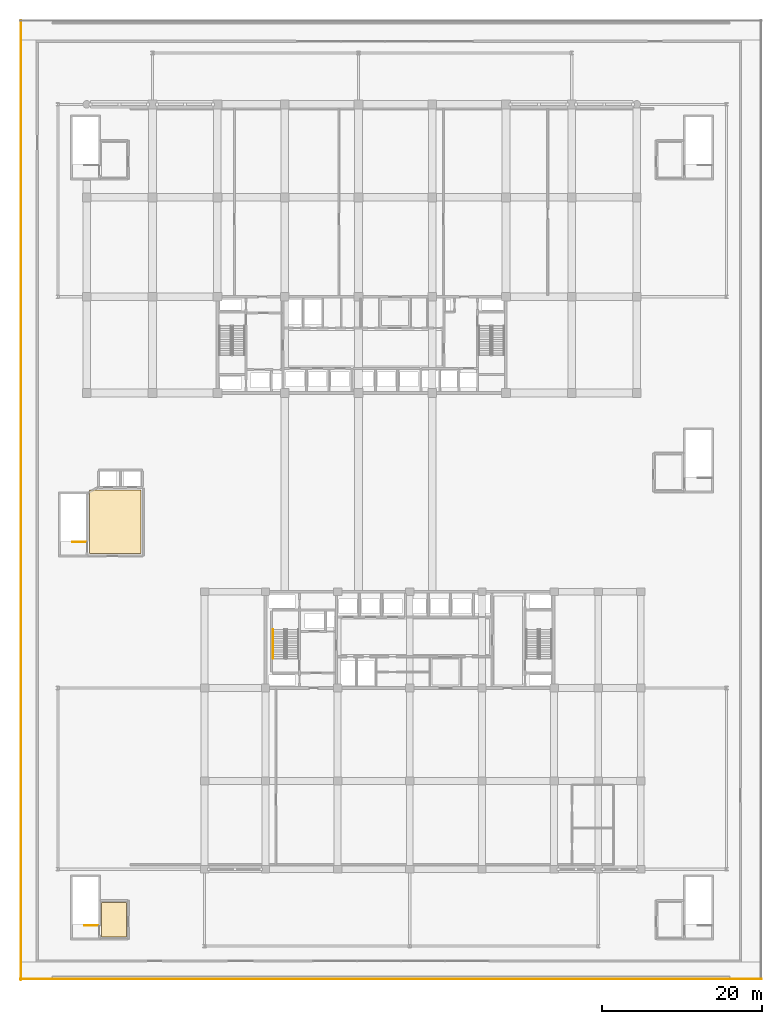
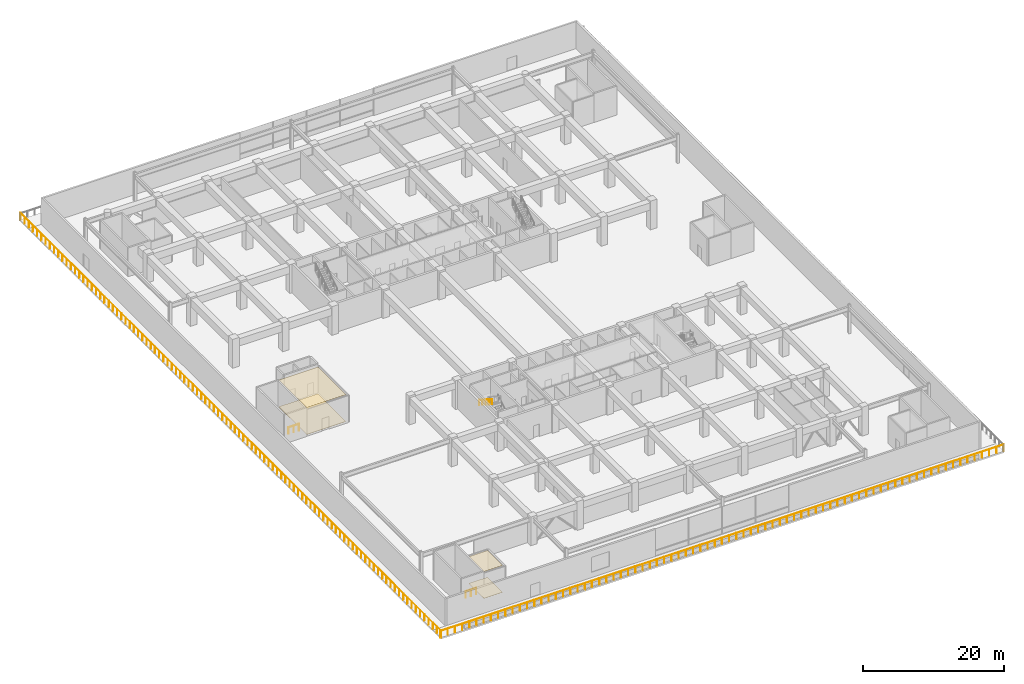
# One storey, part 32 of 38: 5 railings, 4 coverings.
"""IFC4 building model written with IfcOpenShell, lengths in metres."""

from ifc_helpers import new_model, si_unit, direction, frame, origin, origin_2d, place, context, subcontext, project, spatial, polyline, circle, outline, extrude, material, layer, layer_set, type_object, element, save


model = new_model("IFC4")

# Units and contexts
model_context = context("Model", 3, precision=1e-05, world=origin(), true_north=direction((0.0, 1.0)))
body_context = subcontext(model_context, "Body", "Model", "MODEL_VIEW")
ifc_project = project(units=[si_unit("LENGTHUNIT", "METRE"), si_unit("AREAUNIT", "SQUARE_METRE"), si_unit("VOLUMEUNIT", "CUBIC_METRE"), si_unit("PLANEANGLEUNIT", "RADIAN"), si_unit("MASSUNIT", "GRAM", prefix="KILO")], contexts=[model_context])

# Site, building, storey
site_placement = place(None, origin())
site = spatial("IfcSite", under=ifc_project, at=site_placement, CompositionType="ELEMENT")
building_placement = place(site_placement, origin())
building = spatial("IfcBuilding", under=site, at=building_placement, Name="Korimba Cascade Residences", CompositionType="ELEMENT")
storey_placement = place(building_placement, frame((0.0, 0.0, 19.0)))
storey = spatial("IfcBuildingStorey", under=building, at=storey_placement, Name="L04", CompositionType="ELEMENT", Elevation=19.0)

# Coverings
ifc_material_1 = material(Name="Perforated Acoustic Gypsum Ceiling", Category="gypsum")
ifc_layer_1 = layer(ifc_material_1, 0.02490234375)
ifc_layer_set_1 = layer_set([ifc_layer_1], Name="Perforated Acoustic Gypsum Ceiling")
covering_type_1 = type_object("IfcCoveringType", Name="COV-CLG-AC", PredefinedType="CEILING", material=ifc_layer_set_1)
covering_1_placement = place(storey_placement, frame((0.0, 0.0, 4.655029296875)))
element("IfcCovering", 1, at=covering_1_placement, inside=storey, type_object=covering_type_1, Name="L04 Suspended Acoustic Ceiling L04-PLW", PredefinedType="CEILING", context=body_context, shape_type="SweptSolid", body=[
    extrude(outline(polyline([(60.169921875, 35.14990234375), (66.60009765625, 35.14990234375), (66.60009765625, 43.10009765625), (60.169921875, 43.10009765625), (60.169921875, 35.14990234375)])), origin(), (0.0, 0.0, 1.0), 0.02490234375),
])
covering_2_placement = place(storey_placement, frame((0.0, 0.0, 4.655029296875)))
element("IfcCovering", 2, at=covering_2_placement, inside=storey, type_object=covering_type_1, Name="L04 Suspended Acoustic Ceiling L04-PL3", PredefinedType="CEILING", context=body_context, shape_type="SweptSolid", body=[
    extrude(outline(polyline([(61.669921875, -12.64990234375), (64.75, -12.64990234375), (64.75, -8.35009765625), (61.669921875, -8.35009765625), (61.669921875, -12.64990234375)])), origin(), (0.0, 0.0, 1.0), 0.02490234375),
])
ifc_material_2 = material(Name="Honed Travertine Stone Flooring", Category="masonry")
ifc_layer_2 = layer(ifc_material_2, 0.02490234375)
ifc_layer_set_2 = layer_set([ifc_layer_2], Name="Honed Travertine Stone Flooring")
covering_type_2 = type_object("IfcCoveringType", Name="COV-FLR-STN", PredefinedType="FLOORING", material=ifc_layer_set_2)
covering_3_placement = place(storey_placement, origin())
element("IfcCovering", 3, at=covering_3_placement, inside=storey, type_object=covering_type_2, Name="L04 Honed Travertine Stone Flooring L04-PLW", PredefinedType="FLOORING", context=body_context, shape_type="SweptSolid", body=[
    extrude(outline(polyline([(60.169921875, 35.14990234375), (66.60009765625, 35.14990234375), (66.60009765625, 43.10009765625), (60.169921875, 43.10009765625), (60.169921875, 35.14990234375)])), origin(), (0.0, 0.0, 1.0), 0.02490234375),
])
covering_4_placement = place(storey_placement, origin())
element("IfcCovering", 4, at=covering_4_placement, inside=storey, type_object=covering_type_2, Name="L04 Honed Travertine Stone Flooring L04-PL3", PredefinedType="FLOORING", context=body_context, shape_type="SweptSolid", body=[
    extrude(outline(polyline([(61.669921875, -12.64990234375), (64.75, -12.64990234375), (64.75, -8.35009765625), (61.669921875, -8.35009765625), (61.669921875, -12.64990234375)])), origin(), (0.0, 0.0, 1.0), 0.02490234375),
])

# Railings
ifc_material_3 = material(Name="Painted Steel Stairwell Guardrail", Category="steel")
railing_type_1 = type_object("IfcRailingType", Name="RLG-ST-GD1150", PredefinedType="GUARDRAIL", material=ifc_material_3)
for number, where, name in (
    (5, (59.739990234375, 36.60009765625, 0.0), "L04 ST-P1 top well guard 1"),
    (6, (61.239990234375, -11.199951171875, 0.0), "L04 ST-P3 top well guard 1"),
):
    element("IfcRailing", number, at=place(storey_placement, frame(where)), inside=storey, type_object=railing_type_1, Name=name, PredefinedType="GUARDRAIL", context=body_context, shape_type="SweptSolid", body=[
        extrude(circle(Radius=0.02392578125, at=origin_2d()), frame((0.0, 0.0, 1.1259765625), z_axis=(-1.0, 0.0, 0.0), x_axis=(0.0, -1.0, 0.0)), (0.0, 0.0, 1.0), 1.719970703125),
        extrude(circle(Radius=0.02099609375, at=origin_2d()), origin(), (0.0, 0.0, 1.0), 1.101806640625),
        extrude(circle(Radius=0.02099609375, at=origin_2d()), frame((-0.85986328125, 0.0, 0.0)), (0.0, 0.0, 1.0), 1.101806640625),
        extrude(circle(Radius=0.02099609375, at=origin_2d()), frame((-1.719970703125, 0.0, 0.0)), (0.0, 0.0, 1.0), 1.101806640625),
    ])
ifc_material_4 = material(Name="Brushed Stainless Steel Handrail", Category="steel")
railing_type_2 = type_object("IfcRailingType", Name="RLG-ST-HR900", PredefinedType="HANDRAIL", material=ifc_material_4)
railing_1_placement = place(storey_placement, frame((83.050048828125, 25.68994140625, 2.86083984375)))
element("IfcRailing", 7, at=railing_1_placement, inside=storey, type_object=railing_type_2, Name="L04 ST-E1 stair handrail 2", PredefinedType="HANDRAIL", context=body_context, shape_type="SweptSolid", body=[
    extrude(circle(Radius=0.02392578125, at=origin_2d()), frame((0.0, 0.0, 0.8759765625), z_axis=(0.0, -0.843111507901, 0.53773877045), x_axis=(1.0, 0.0, 0.0)), (0.0, 0.0, 1.0), 4.317138671875),
    extrude(circle(Radius=0.02099609375, at=origin_2d()), origin(), (0.0, 0.0, 1.0), 0.851806640625),
    extrude(circle(Radius=0.02099609375, at=origin_2d()), frame((0.0, -0.909912109375, 0.580322265625)), (0.0, 0.0, 1.0), 0.851806640625),
    extrude(circle(Radius=0.02099609375, at=origin_2d()), frame((0.0, -1.81982421875, 1.16064453125)), (0.0, 0.0, 1.0), 0.851806640625),
    extrude(circle(Radius=0.02099609375, at=origin_2d()), frame((0.0, -2.72998046875, 1.7412109375)), (0.0, 0.0, 1.0), 0.851806640625),
    extrude(circle(Radius=0.02099609375, at=origin_2d()), frame((0.0, -3.639892578125, 2.321533203125)), (0.0, 0.0, 1.0), 0.851806640625),
])
ifc_material_5 = material(Name="Painted Galvanised Steel Terrace Guardrail", Category="steel")
railing_type_3 = type_object("IfcRailingType", Name="RLG-TER-1150", PredefinedType="GUARDRAIL", material=ifc_material_5)
railing_2_placement = place(storey_placement, frame((51.5, -17.919921875, 0.0)))
element("IfcRailing", 8, at=railing_2_placement, inside=storey, type_object=railing_type_3, Name="L04 Perimeter Guardrail RLG-L04-TER-01", PredefinedType="GUARDRAIL", context=body_context, shape_type="SweptSolid", body=[
    extrude(circle(Radius=0.02392578125, at=origin_2d()), frame((0.0, 0.0, 1.1259765625), z_axis=(1.0, 0.0, 0.0), x_axis=(0.0, 1.0, 0.0)), (0.0, 0.0, 1.0), 92.5),
    extrude(circle(Radius=0.02099609375, at=origin_2d()), origin(), (0.0, 0.0, 1.0), 1.101806640625),
    extrude(circle(Radius=0.02099609375, at=origin_2d()), frame((1.185791015625, 0.0, 0.0)), (0.0, 0.0, 1.0), 1.101806640625),
    extrude(circle(Radius=0.02099609375, at=origin_2d()), frame((2.371826171875, 0.0, 0.0)), (0.0, 0.0, 1.0), 1.101806640625),
    extrude(circle(Radius=0.02099609375, at=origin_2d()), frame((3.5576171875, 0.0, 0.0)), (0.0, 0.0, 1.0), 1.101806640625),
    extrude(circle(Radius=0.02099609375, at=origin_2d()), frame((4.74365234375, 0.0, 0.0)), (0.0, 0.0, 1.0), 1.101806640625),
    extrude(circle(Radius=0.02099609375, at=origin_2d()), frame((5.929443359375, 0.0, 0.0)), (0.0, 0.0, 1.0), 1.101806640625),
    extrude(circle(Radius=0.02099609375, at=origin_2d()), frame((7.115478515625, 0.0, 0.0)), (0.0, 0.0, 1.0), 1.101806640625),
    extrude(circle(Radius=0.02099609375, at=origin_2d()), frame((8.30126953125, 0.0, 0.0)), (0.0, 0.0, 1.0), 1.101806640625),
    extrude(circle(Radius=0.02099609375, at=origin_2d()), frame((9.487060546875, 0.0, 0.0)), (0.0, 0.0, 1.0), 1.101806640625),
    extrude(circle(Radius=0.02099609375, at=origin_2d()), frame((10.673095703125, 0.0, 0.0)), (0.0, 0.0, 1.0), 1.101806640625),
    extrude(circle(Radius=0.02099609375, at=origin_2d()), frame((11.85888671875, 0.0, 0.0)), (0.0, 0.0, 1.0), 1.101806640625),
    extrude(circle(Radius=0.02099609375, at=origin_2d()), frame((13.044921875, 0.0, 0.0)), (0.0, 0.0, 1.0), 1.101806640625),
    extrude(circle(Radius=0.02099609375, at=origin_2d()), frame((14.230712890625, 0.0, 0.0)), (0.0, 0.0, 1.0), 1.101806640625),
    extrude(circle(Radius=0.02099609375, at=origin_2d()), frame((15.416748046875, 0.0, 0.0)), (0.0, 0.0, 1.0), 1.101806640625),
    extrude(circle(Radius=0.02099609375, at=origin_2d()), frame((16.6025390625, 0.0, 0.0)), (0.0, 0.0, 1.0), 1.101806640625),
    extrude(circle(Radius=0.02099609375, at=origin_2d()), frame((17.78857421875, 0.0, 0.0)), (0.0, 0.0, 1.0), 1.101806640625),
    extrude(circle(Radius=0.02099609375, at=origin_2d()), frame((18.974365234375, 0.0, 0.0)), (0.0, 0.0, 1.0), 1.101806640625),
    extrude(circle(Radius=0.02099609375, at=origin_2d()), frame((20.16015625, 0.0, 0.0)), (0.0, 0.0, 1.0), 1.101806640625),
    extrude(circle(Radius=0.02099609375, at=origin_2d()), frame((21.34619140625, 0.0, 0.0)), (0.0, 0.0, 1.0), 1.101806640625),
    extrude(circle(Radius=0.02099609375, at=origin_2d()), frame((22.531982421875, 0.0, 0.0)), (0.0, 0.0, 1.0), 1.101806640625),
    extrude(circle(Radius=0.02099609375, at=origin_2d()), frame((23.718017578125, 0.0, 0.0)), (0.0, 0.0, 1.0), 1.101806640625),
    extrude(circle(Radius=0.02099609375, at=origin_2d()), frame((24.90380859375, 0.0, 0.0)), (0.0, 0.0, 1.0), 1.101806640625),
    extrude(circle(Radius=0.02099609375, at=origin_2d()), frame((26.08984375, 0.0, 0.0)), (0.0, 0.0, 1.0), 1.101806640625),
    extrude(circle(Radius=0.02099609375, at=origin_2d()), frame((27.275634765625, 0.0, 0.0)), (0.0, 0.0, 1.0), 1.101806640625),
    extrude(circle(Radius=0.02099609375, at=origin_2d()), frame((28.46142578125, 0.0, 0.0)), (0.0, 0.0, 1.0), 1.101806640625),
    extrude(circle(Radius=0.02099609375, at=origin_2d()), frame((29.6474609375, 0.0, 0.0)), (0.0, 0.0, 1.0), 1.101806640625),
    extrude(circle(Radius=0.02099609375, at=origin_2d()), frame((30.833251953125, 0.0, 0.0)), (0.0, 0.0, 1.0), 1.101806640625),
    extrude(circle(Radius=0.02099609375, at=origin_2d()), frame((32.019287109375, 0.0, 0.0)), (0.0, 0.0, 1.0), 1.101806640625),
    extrude(circle(Radius=0.02099609375, at=origin_2d()), frame((33.205078125, 0.0, 0.0)), (0.0, 0.0, 1.0), 1.101806640625),
    extrude(circle(Radius=0.02099609375, at=origin_2d()), frame((34.39111328125, 0.0, 0.0)), (0.0, 0.0, 1.0), 1.101806640625),
    extrude(circle(Radius=0.02099609375, at=origin_2d()), frame((35.576904296875, 0.0, 0.0)), (0.0, 0.0, 1.0), 1.101806640625),
    extrude(circle(Radius=0.02099609375, at=origin_2d()), frame((36.762939453125, 0.0, 0.0)), (0.0, 0.0, 1.0), 1.101806640625),
    extrude(circle(Radius=0.02099609375, at=origin_2d()), frame((37.94873046875, 0.0, 0.0)), (0.0, 0.0, 1.0), 1.101806640625),
    extrude(circle(Radius=0.02099609375, at=origin_2d()), frame((39.134521484375, 0.0, 0.0)), (0.0, 0.0, 1.0), 1.101806640625),
    extrude(circle(Radius=0.02099609375, at=origin_2d()), frame((40.320556640625, 0.0, 0.0)), (0.0, 0.0, 1.0), 1.101806640625),
    extrude(circle(Radius=0.02099609375, at=origin_2d()), frame((41.50634765625, 0.0, 0.0)), (0.0, 0.0, 1.0), 1.101806640625),
    extrude(circle(Radius=0.02099609375, at=origin_2d()), frame((42.6923828125, 0.0, 0.0)), (0.0, 0.0, 1.0), 1.101806640625),
    extrude(circle(Radius=0.02099609375, at=origin_2d()), frame((43.878173828125, 0.0, 0.0)), (0.0, 0.0, 1.0), 1.101806640625),
    extrude(circle(Radius=0.02099609375, at=origin_2d()), frame((45.064208984375, 0.0, 0.0)), (0.0, 0.0, 1.0), 1.101806640625),
    extrude(circle(Radius=0.02099609375, at=origin_2d()), frame((46.25, 0.0, 0.0)), (0.0, 0.0, 1.0), 1.101806640625),
    extrude(circle(Radius=0.02099609375, at=origin_2d()), frame((47.435791015625, 0.0, 0.0)), (0.0, 0.0, 1.0), 1.101806640625),
    extrude(circle(Radius=0.02099609375, at=origin_2d()), frame((48.621826171875, 0.0, 0.0)), (0.0, 0.0, 1.0), 1.101806640625),
    extrude(circle(Radius=0.02099609375, at=origin_2d()), frame((49.8076171875, 0.0, 0.0)), (0.0, 0.0, 1.0), 1.101806640625),
    extrude(circle(Radius=0.02099609375, at=origin_2d()), frame((50.99365234375, 0.0, 0.0)), (0.0, 0.0, 1.0), 1.101806640625),
    extrude(circle(Radius=0.02099609375, at=origin_2d()), frame((52.179443359375, 0.0, 0.0)), (0.0, 0.0, 1.0), 1.101806640625),
    extrude(circle(Radius=0.02099609375, at=origin_2d()), frame((53.365478515625, 0.0, 0.0)), (0.0, 0.0, 1.0), 1.101806640625),
    extrude(circle(Radius=0.02099609375, at=origin_2d()), frame((54.55126953125, 0.0, 0.0)), (0.0, 0.0, 1.0), 1.101806640625),
    extrude(circle(Radius=0.02099609375, at=origin_2d()), frame((55.737060546875, 0.0, 0.0)), (0.0, 0.0, 1.0), 1.101806640625),
    extrude(circle(Radius=0.02099609375, at=origin_2d()), frame((56.923095703125, 0.0, 0.0)), (0.0, 0.0, 1.0), 1.101806640625),
    extrude(circle(Radius=0.02099609375, at=origin_2d()), frame((58.10888671875, 0.0, 0.0)), (0.0, 0.0, 1.0), 1.101806640625),
    extrude(circle(Radius=0.02099609375, at=origin_2d()), frame((59.294921875, 0.0, 0.0)), (0.0, 0.0, 1.0), 1.101806640625),
    extrude(circle(Radius=0.02099609375, at=origin_2d()), frame((60.480712890625, 0.0, 0.0)), (0.0, 0.0, 1.0), 1.101806640625),
    extrude(circle(Radius=0.02099609375, at=origin_2d()), frame((61.666748046875, 0.0, 0.0)), (0.0, 0.0, 1.0), 1.101806640625),
    extrude(circle(Radius=0.02099609375, at=origin_2d()), frame((62.8525390625, 0.0, 0.0)), (0.0, 0.0, 1.0), 1.101806640625),
    extrude(circle(Radius=0.02099609375, at=origin_2d()), frame((64.03857421875, 0.0, 0.0)), (0.0, 0.0, 1.0), 1.101806640625),
    extrude(circle(Radius=0.02099609375, at=origin_2d()), frame((65.224365234375, 0.0, 0.0)), (0.0, 0.0, 1.0), 1.101806640625),
    extrude(circle(Radius=0.02099609375, at=origin_2d()), frame((66.41015625, 0.0, 0.0)), (0.0, 0.0, 1.0), 1.101806640625),
    extrude(circle(Radius=0.02099609375, at=origin_2d()), frame((67.59619140625, 0.0, 0.0)), (0.0, 0.0, 1.0), 1.101806640625),
    extrude(circle(Radius=0.02099609375, at=origin_2d()), frame((68.781982421875, 0.0, 0.0)), (0.0, 0.0, 1.0), 1.101806640625),
    extrude(circle(Radius=0.02099609375, at=origin_2d()), frame((69.968017578125, 0.0, 0.0)), (0.0, 0.0, 1.0), 1.101806640625),
    extrude(circle(Radius=0.02099609375, at=origin_2d()), frame((71.15380859375, 0.0, 0.0)), (0.0, 0.0, 1.0), 1.101806640625),
    extrude(circle(Radius=0.02099609375, at=origin_2d()), frame((72.33984375, 0.0, 0.0)), (0.0, 0.0, 1.0), 1.101806640625),
    extrude(circle(Radius=0.02099609375, at=origin_2d()), frame((73.525634765625, 0.0, 0.0)), (0.0, 0.0, 1.0), 1.101806640625),
    extrude(circle(Radius=0.02099609375, at=origin_2d()), frame((74.71142578125, 0.0, 0.0)), (0.0, 0.0, 1.0), 1.101806640625),
    extrude(circle(Radius=0.02099609375, at=origin_2d()), frame((75.8974609375, 0.0, 0.0)), (0.0, 0.0, 1.0), 1.101806640625),
    extrude(circle(Radius=0.02099609375, at=origin_2d()), frame((77.083251953125, 0.0, 0.0)), (0.0, 0.0, 1.0), 1.101806640625),
    extrude(circle(Radius=0.02099609375, at=origin_2d()), frame((78.269287109375, 0.0, 0.0)), (0.0, 0.0, 1.0), 1.101806640625),
    extrude(circle(Radius=0.02099609375, at=origin_2d()), frame((79.455078125, 0.0, 0.0)), (0.0, 0.0, 1.0), 1.101806640625),
    extrude(circle(Radius=0.02099609375, at=origin_2d()), frame((80.64111328125, 0.0, 0.0)), (0.0, 0.0, 1.0), 1.101806640625),
    extrude(circle(Radius=0.02099609375, at=origin_2d()), frame((81.826904296875, 0.0, 0.0)), (0.0, 0.0, 1.0), 1.101806640625),
    extrude(circle(Radius=0.02099609375, at=origin_2d()), frame((83.012939453125, 0.0, 0.0)), (0.0, 0.0, 1.0), 1.101806640625),
    extrude(circle(Radius=0.02099609375, at=origin_2d()), frame((84.19873046875, 0.0, 0.0)), (0.0, 0.0, 1.0), 1.101806640625),
    extrude(circle(Radius=0.02099609375, at=origin_2d()), frame((85.384521484375, 0.0, 0.0)), (0.0, 0.0, 1.0), 1.101806640625),
    extrude(circle(Radius=0.02099609375, at=origin_2d()), frame((86.570556640625, 0.0, 0.0)), (0.0, 0.0, 1.0), 1.101806640625),
    extrude(circle(Radius=0.02099609375, at=origin_2d()), frame((87.75634765625, 0.0, 0.0)), (0.0, 0.0, 1.0), 1.101806640625),
    extrude(circle(Radius=0.02099609375, at=origin_2d()), frame((88.9423828125, 0.0, 0.0)), (0.0, 0.0, 1.0), 1.101806640625),
    extrude(circle(Radius=0.02099609375, at=origin_2d()), frame((90.128173828125, 0.0, 0.0)), (0.0, 0.0, 1.0), 1.101806640625),
    extrude(circle(Radius=0.02099609375, at=origin_2d()), frame((91.314208984375, 0.0, 0.0)), (0.0, 0.0, 1.0), 1.101806640625),
    extrude(circle(Radius=0.02099609375, at=origin_2d()), frame((92.5, 0.0, 0.0)), (0.0, 0.0, 1.0), 1.101806640625),
])
railing_3_placement = place(storey_placement, frame((51.580078125, 101.699951171875, 0.0)))
element("IfcRailing", 9, at=railing_3_placement, inside=storey, type_object=railing_type_3, Name="L04 Perimeter Guardrail RLG-L04-TER-04", PredefinedType="GUARDRAIL", context=body_context, shape_type="SweptSolid", body=[
    extrude(circle(Radius=0.02392578125, at=origin_2d()), frame((0.0, 0.0, 1.1259765625), z_axis=(0.0, -1.0, 0.0), x_axis=(1.0, 0.0, 0.0)), (0.0, 0.0, 1.0), 119.699951171875),
    extrude(circle(Radius=0.02099609375, at=origin_2d()), origin(), (0.0, 0.0, 1.0), 1.101806640625),
    extrude(circle(Radius=0.02099609375, at=origin_2d()), frame((0.0, -1.197021484375, 0.0)), (0.0, 0.0, 1.0), 1.101806640625),
    extrude(circle(Radius=0.02099609375, at=origin_2d()), frame((0.0, -2.39404296875, 0.0)), (0.0, 0.0, 1.0), 1.101806640625),
    extrude(circle(Radius=0.02099609375, at=origin_2d()), frame((0.0, -3.591064453125, 0.0)), (0.0, 0.0, 1.0), 1.101806640625),
    extrude(circle(Radius=0.02099609375, at=origin_2d()), frame((0.0, -4.7880859375, 0.0)), (0.0, 0.0, 1.0), 1.101806640625),
    extrude(circle(Radius=0.02099609375, at=origin_2d()), frame((0.0, -5.985107421875, 0.0)), (0.0, 0.0, 1.0), 1.101806640625),
    extrude(circle(Radius=0.02099609375, at=origin_2d()), frame((0.0, -7.181884765625, 0.0)), (0.0, 0.0, 1.0), 1.101806640625),
    extrude(circle(Radius=0.02099609375, at=origin_2d()), frame((0.0, -8.37890625, 0.0)), (0.0, 0.0, 1.0), 1.101806640625),
    extrude(circle(Radius=0.02099609375, at=origin_2d()), frame((0.0, -9.575927734375, 0.0)), (0.0, 0.0, 1.0), 1.101806640625),
    extrude(circle(Radius=0.02099609375, at=origin_2d()), frame((0.0, -10.77294921875, 0.0)), (0.0, 0.0, 1.0), 1.101806640625),
    extrude(circle(Radius=0.02099609375, at=origin_2d()), frame((0.0, -11.969970703125, 0.0)), (0.0, 0.0, 1.0), 1.101806640625),
    extrude(circle(Radius=0.02099609375, at=origin_2d()), frame((0.0, -13.1669921875, 0.0)), (0.0, 0.0, 1.0), 1.101806640625),
    extrude(circle(Radius=0.02099609375, at=origin_2d()), frame((0.0, -14.364013671875, 0.0)), (0.0, 0.0, 1.0), 1.101806640625),
    extrude(circle(Radius=0.02099609375, at=origin_2d()), frame((0.0, -15.56103515625, 0.0)), (0.0, 0.0, 1.0), 1.101806640625),
    extrude(circle(Radius=0.02099609375, at=origin_2d()), frame((0.0, -16.758056640625, 0.0)), (0.0, 0.0, 1.0), 1.101806640625),
    extrude(circle(Radius=0.02099609375, at=origin_2d()), frame((0.0, -17.955078125, 0.0)), (0.0, 0.0, 1.0), 1.101806640625),
    extrude(circle(Radius=0.02099609375, at=origin_2d()), frame((0.0, -19.152099609375, 0.0)), (0.0, 0.0, 1.0), 1.101806640625),
    extrude(circle(Radius=0.02099609375, at=origin_2d()), frame((0.0, -20.348876953125, 0.0)), (0.0, 0.0, 1.0), 1.101806640625),
    extrude(circle(Radius=0.02099609375, at=origin_2d()), frame((0.0, -21.5458984375, 0.0)), (0.0, 0.0, 1.0), 1.101806640625),
    extrude(circle(Radius=0.02099609375, at=origin_2d()), frame((0.0, -22.742919921875, 0.0)), (0.0, 0.0, 1.0), 1.101806640625),
    extrude(circle(Radius=0.02099609375, at=origin_2d()), frame((0.0, -23.93994140625, 0.0)), (0.0, 0.0, 1.0), 1.101806640625),
    extrude(circle(Radius=0.02099609375, at=origin_2d()), frame((0.0, -25.136962890625, 0.0)), (0.0, 0.0, 1.0), 1.101806640625),
    extrude(circle(Radius=0.02099609375, at=origin_2d()), frame((0.0, -26.333984375, 0.0)), (0.0, 0.0, 1.0), 1.101806640625),
    extrude(circle(Radius=0.02099609375, at=origin_2d()), frame((0.0, -27.531005859375, 0.0)), (0.0, 0.0, 1.0), 1.101806640625),
    extrude(circle(Radius=0.02099609375, at=origin_2d()), frame((0.0, -28.72802734375, 0.0)), (0.0, 0.0, 1.0), 1.101806640625),
    extrude(circle(Radius=0.02099609375, at=origin_2d()), frame((0.0, -29.925048828125, 0.0)), (0.0, 0.0, 1.0), 1.101806640625),
    extrude(circle(Radius=0.02099609375, at=origin_2d()), frame((0.0, -31.1220703125, 0.0)), (0.0, 0.0, 1.0), 1.101806640625),
    extrude(circle(Radius=0.02099609375, at=origin_2d()), frame((0.0, -32.319091796875, 0.0)), (0.0, 0.0, 1.0), 1.101806640625),
    extrude(circle(Radius=0.02099609375, at=origin_2d()), frame((0.0, -33.515869140625, 0.0)), (0.0, 0.0, 1.0), 1.101806640625),
    extrude(circle(Radius=0.02099609375, at=origin_2d()), frame((0.0, -34.712890625, 0.0)), (0.0, 0.0, 1.0), 1.101806640625),
    extrude(circle(Radius=0.02099609375, at=origin_2d()), frame((0.0, -35.909912109375, 0.0)), (0.0, 0.0, 1.0), 1.101806640625),
    extrude(circle(Radius=0.02099609375, at=origin_2d()), frame((0.0, -37.10693359375, 0.0)), (0.0, 0.0, 1.0), 1.101806640625),
    extrude(circle(Radius=0.02099609375, at=origin_2d()), frame((0.0, -38.303955078125, 0.0)), (0.0, 0.0, 1.0), 1.101806640625),
    extrude(circle(Radius=0.02099609375, at=origin_2d()), frame((0.0, -39.5009765625, 0.0)), (0.0, 0.0, 1.0), 1.101806640625),
    extrude(circle(Radius=0.02099609375, at=origin_2d()), frame((0.0, -40.697998046875, 0.0)), (0.0, 0.0, 1.0), 1.101806640625),
    extrude(circle(Radius=0.02099609375, at=origin_2d()), frame((0.0, -41.89501953125, 0.0)), (0.0, 0.0, 1.0), 1.101806640625),
    extrude(circle(Radius=0.02099609375, at=origin_2d()), frame((0.0, -43.092041015625, 0.0)), (0.0, 0.0, 1.0), 1.101806640625),
    extrude(circle(Radius=0.02099609375, at=origin_2d()), frame((0.0, -44.2890625, 0.0)), (0.0, 0.0, 1.0), 1.101806640625),
    extrude(circle(Radius=0.02099609375, at=origin_2d()), frame((0.0, -45.486083984375, 0.0)), (0.0, 0.0, 1.0), 1.101806640625),
    extrude(circle(Radius=0.02099609375, at=origin_2d()), frame((0.0, -46.682861328125, 0.0)), (0.0, 0.0, 1.0), 1.101806640625),
    extrude(circle(Radius=0.02099609375, at=origin_2d()), frame((0.0, -47.8798828125, 0.0)), (0.0, 0.0, 1.0), 1.101806640625),
    extrude(circle(Radius=0.02099609375, at=origin_2d()), frame((0.0, -49.076904296875, 0.0)), (0.0, 0.0, 1.0), 1.101806640625),
    extrude(circle(Radius=0.02099609375, at=origin_2d()), frame((0.0, -50.27392578125, 0.0)), (0.0, 0.0, 1.0), 1.101806640625),
    extrude(circle(Radius=0.02099609375, at=origin_2d()), frame((0.0, -51.470947265625, 0.0)), (0.0, 0.0, 1.0), 1.101806640625),
    extrude(circle(Radius=0.02099609375, at=origin_2d()), frame((0.0, -52.66796875, 0.0)), (0.0, 0.0, 1.0), 1.101806640625),
    extrude(circle(Radius=0.02099609375, at=origin_2d()), frame((0.0, -53.864990234375, 0.0)), (0.0, 0.0, 1.0), 1.101806640625),
    extrude(circle(Radius=0.02099609375, at=origin_2d()), frame((0.0, -55.06201171875, 0.0)), (0.0, 0.0, 1.0), 1.101806640625),
    extrude(circle(Radius=0.02099609375, at=origin_2d()), frame((0.0, -56.259033203125, 0.0)), (0.0, 0.0, 1.0), 1.101806640625),
    extrude(circle(Radius=0.02099609375, at=origin_2d()), frame((0.0, -57.4560546875, 0.0)), (0.0, 0.0, 1.0), 1.101806640625),
    extrude(circle(Radius=0.02099609375, at=origin_2d()), frame((0.0, -58.653076171875, 0.0)), (0.0, 0.0, 1.0), 1.101806640625),
    extrude(circle(Radius=0.02099609375, at=origin_2d()), frame((0.0, -59.85009765625, 0.0)), (0.0, 0.0, 1.0), 1.101806640625),
    extrude(circle(Radius=0.02099609375, at=origin_2d()), frame((0.0, -61.046875, 0.0)), (0.0, 0.0, 1.0), 1.101806640625),
    extrude(circle(Radius=0.02099609375, at=origin_2d()), frame((0.0, -62.243896484375, 0.0)), (0.0, 0.0, 1.0), 1.101806640625),
    extrude(circle(Radius=0.02099609375, at=origin_2d()), frame((0.0, -63.44091796875, 0.0)), (0.0, 0.0, 1.0), 1.101806640625),
    extrude(circle(Radius=0.02099609375, at=origin_2d()), frame((0.0, -64.637939453125, 0.0)), (0.0, 0.0, 1.0), 1.101806640625),
    extrude(circle(Radius=0.02099609375, at=origin_2d()), frame((0.0, -65.8349609375, 0.0)), (0.0, 0.0, 1.0), 1.101806640625),
    extrude(circle(Radius=0.02099609375, at=origin_2d()), frame((0.0, -67.031982421875, 0.0)), (0.0, 0.0, 1.0), 1.101806640625),
    extrude(circle(Radius=0.02099609375, at=origin_2d()), frame((0.0, -68.22900390625, 0.0)), (0.0, 0.0, 1.0), 1.101806640625),
    extrude(circle(Radius=0.02099609375, at=origin_2d()), frame((0.0, -69.426025390625, 0.0)), (0.0, 0.0, 1.0), 1.101806640625),
    extrude(circle(Radius=0.02099609375, at=origin_2d()), frame((0.0, -70.623046875, 0.0)), (0.0, 0.0, 1.0), 1.101806640625),
    extrude(circle(Radius=0.02099609375, at=origin_2d()), frame((0.0, -71.820068359375, 0.0)), (0.0, 0.0, 1.0), 1.101806640625),
    extrude(circle(Radius=0.02099609375, at=origin_2d()), frame((0.0, -73.01708984375, 0.0)), (0.0, 0.0, 1.0), 1.101806640625),
    extrude(circle(Radius=0.02099609375, at=origin_2d()), frame((0.0, -74.2138671875, 0.0)), (0.0, 0.0, 1.0), 1.101806640625),
    extrude(circle(Radius=0.02099609375, at=origin_2d()), frame((0.0, -75.410888671875, 0.0)), (0.0, 0.0, 1.0), 1.101806640625),
    extrude(circle(Radius=0.02099609375, at=origin_2d()), frame((0.0, -76.60791015625, 0.0)), (0.0, 0.0, 1.0), 1.101806640625),
    extrude(circle(Radius=0.02099609375, at=origin_2d()), frame((0.0, -77.804931640625, 0.0)), (0.0, 0.0, 1.0), 1.101806640625),
    extrude(circle(Radius=0.02099609375, at=origin_2d()), frame((0.0, -79.001953125, 0.0)), (0.0, 0.0, 1.0), 1.101806640625),
    extrude(circle(Radius=0.02099609375, at=origin_2d()), frame((0.0, -80.198974609375, 0.0)), (0.0, 0.0, 1.0), 1.101806640625),
    extrude(circle(Radius=0.02099609375, at=origin_2d()), frame((0.0, -81.39599609375, 0.0)), (0.0, 0.0, 1.0), 1.101806640625),
    extrude(circle(Radius=0.02099609375, at=origin_2d()), frame((0.0, -82.593017578125, 0.0)), (0.0, 0.0, 1.0), 1.101806640625),
    extrude(circle(Radius=0.02099609375, at=origin_2d()), frame((0.0, -83.7900390625, 0.0)), (0.0, 0.0, 1.0), 1.101806640625),
    extrude(circle(Radius=0.02099609375, at=origin_2d()), frame((0.0, -84.987060546875, 0.0)), (0.0, 0.0, 1.0), 1.101806640625),
    extrude(circle(Radius=0.02099609375, at=origin_2d()), frame((0.0, -86.18408203125, 0.0)), (0.0, 0.0, 1.0), 1.101806640625),
    extrude(circle(Radius=0.02099609375, at=origin_2d()), frame((0.0, -87.380859375, 0.0)), (0.0, 0.0, 1.0), 1.101806640625),
    extrude(circle(Radius=0.02099609375, at=origin_2d()), frame((0.0, -88.577880859375, 0.0)), (0.0, 0.0, 1.0), 1.101806640625),
    extrude(circle(Radius=0.02099609375, at=origin_2d()), frame((0.0, -89.77490234375, 0.0)), (0.0, 0.0, 1.0), 1.101806640625),
    extrude(circle(Radius=0.02099609375, at=origin_2d()), frame((0.0, -90.971923828125, 0.0)), (0.0, 0.0, 1.0), 1.101806640625),
    extrude(circle(Radius=0.02099609375, at=origin_2d()), frame((0.0, -92.1689453125, 0.0)), (0.0, 0.0, 1.0), 1.101806640625),
    extrude(circle(Radius=0.02099609375, at=origin_2d()), frame((0.0, -93.365966796875, 0.0)), (0.0, 0.0, 1.0), 1.101806640625),
    extrude(circle(Radius=0.02099609375, at=origin_2d()), frame((0.0, -94.56298828125, 0.0)), (0.0, 0.0, 1.0), 1.101806640625),
    extrude(circle(Radius=0.02099609375, at=origin_2d()), frame((0.0, -95.760009765625, 0.0)), (0.0, 0.0, 1.0), 1.101806640625),
    extrude(circle(Radius=0.02099609375, at=origin_2d()), frame((0.0, -96.95703125, 0.0)), (0.0, 0.0, 1.0), 1.101806640625),
    extrude(circle(Radius=0.02099609375, at=origin_2d()), frame((0.0, -98.154052734375, 0.0)), (0.0, 0.0, 1.0), 1.101806640625),
    extrude(circle(Radius=0.02099609375, at=origin_2d()), frame((0.0, -99.35107421875, 0.0)), (0.0, 0.0, 1.0), 1.101806640625),
    extrude(circle(Radius=0.02099609375, at=origin_2d()), frame((0.0, -100.5478515625, 0.0)), (0.0, 0.0, 1.0), 1.101806640625),
    extrude(circle(Radius=0.02099609375, at=origin_2d()), frame((0.0, -101.744873046875, 0.0)), (0.0, 0.0, 1.0), 1.101806640625),
    extrude(circle(Radius=0.02099609375, at=origin_2d()), frame((0.0, -102.94189453125, 0.0)), (0.0, 0.0, 1.0), 1.101806640625),
    extrude(circle(Radius=0.02099609375, at=origin_2d()), frame((0.0, -104.138916015625, 0.0)), (0.0, 0.0, 1.0), 1.101806640625),
    extrude(circle(Radius=0.02099609375, at=origin_2d()), frame((0.0, -105.3359375, 0.0)), (0.0, 0.0, 1.0), 1.101806640625),
    extrude(circle(Radius=0.02099609375, at=origin_2d()), frame((0.0, -106.532958984375, 0.0)), (0.0, 0.0, 1.0), 1.101806640625),
    extrude(circle(Radius=0.02099609375, at=origin_2d()), frame((0.0, -107.72998046875, 0.0)), (0.0, 0.0, 1.0), 1.101806640625),
    extrude(circle(Radius=0.02099609375, at=origin_2d()), frame((0.0, -108.927001953125, 0.0)), (0.0, 0.0, 1.0), 1.101806640625),
    extrude(circle(Radius=0.02099609375, at=origin_2d()), frame((0.0, -110.1240234375, 0.0)), (0.0, 0.0, 1.0), 1.101806640625),
    extrude(circle(Radius=0.02099609375, at=origin_2d()), frame((0.0, -111.321044921875, 0.0)), (0.0, 0.0, 1.0), 1.101806640625),
    extrude(circle(Radius=0.02099609375, at=origin_2d()), frame((0.0, -112.51806640625, 0.0)), (0.0, 0.0, 1.0), 1.101806640625),
    extrude(circle(Radius=0.02099609375, at=origin_2d()), frame((0.0, -113.71484375, 0.0)), (0.0, 0.0, 1.0), 1.101806640625),
    extrude(circle(Radius=0.02099609375, at=origin_2d()), frame((0.0, -114.911865234375, 0.0)), (0.0, 0.0, 1.0), 1.101806640625),
    extrude(circle(Radius=0.02099609375, at=origin_2d()), frame((0.0, -116.10888671875, 0.0)), (0.0, 0.0, 1.0), 1.101806640625),
    extrude(circle(Radius=0.02099609375, at=origin_2d()), frame((0.0, -117.305908203125, 0.0)), (0.0, 0.0, 1.0), 1.101806640625),
    extrude(circle(Radius=0.02099609375, at=origin_2d()), frame((0.0, -118.5029296875, 0.0)), (0.0, 0.0, 1.0), 1.101806640625),
    extrude(circle(Radius=0.02099609375, at=origin_2d()), frame((0.0, -119.699951171875, 0.0)), (0.0, 0.0, 1.0), 1.101806640625),
])

save(model, "model.ifc")
